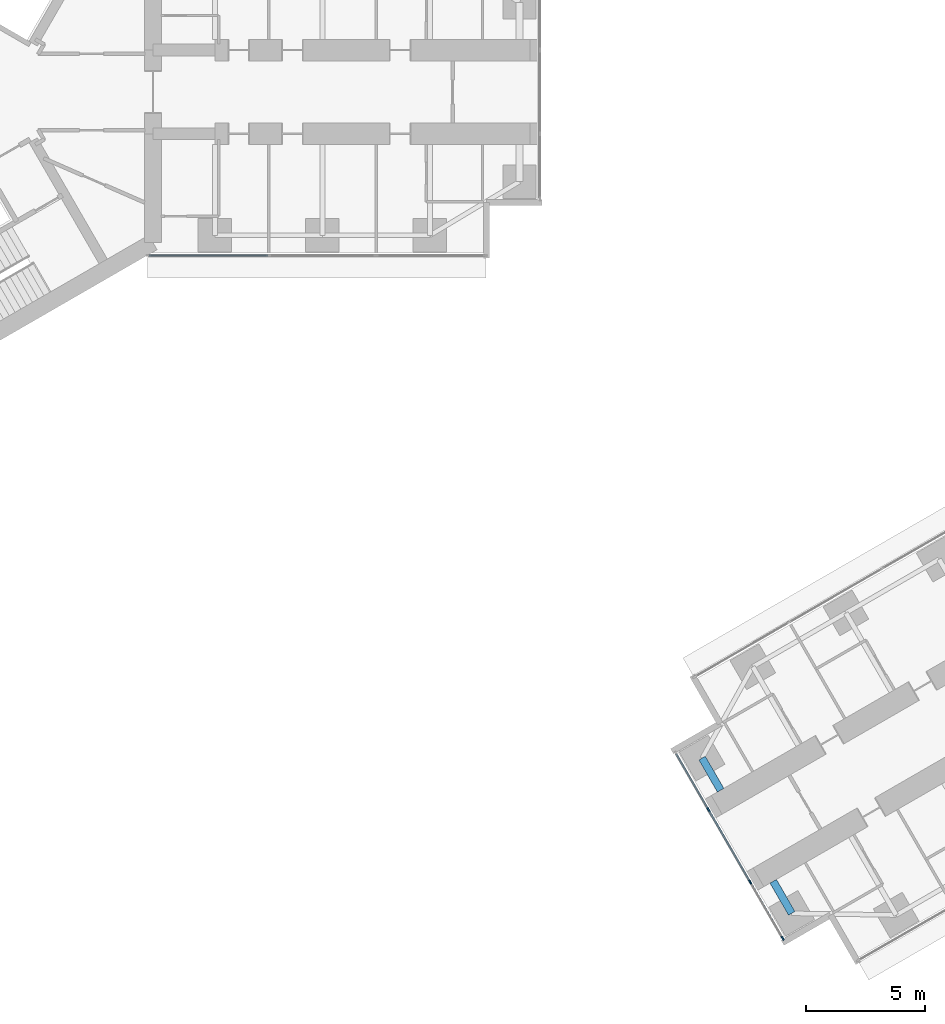
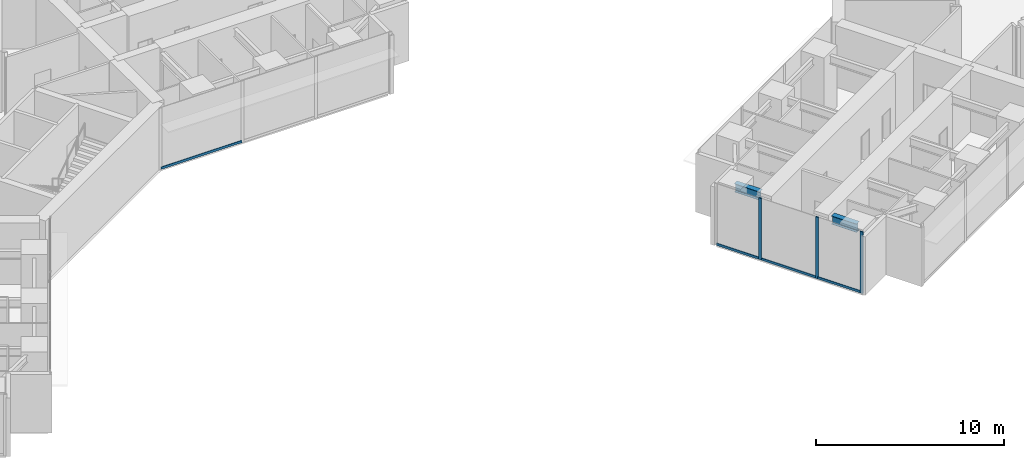
# One storey, part 3 of 25: 7 members, 2 beams, 2 elements without a shape of their own.
"""IFC4 building model written with IfcOpenShell, lengths in metres."""

from ifc_helpers import new_model, si_unit, direction, frame, origin, origin_2d, place, context, subcontext, project, spatial, rectangle, i_section, extrude, material, material_profile, profile_set, type_object, element, aggregate, save


model = new_model("IFC4")

# Units and contexts
model_context = context("Model", 3, precision=1e-05, world=origin(), true_north=direction((0.0, 1.0)))
body_context = subcontext(model_context, "Body", "Model", "MODEL_VIEW")
ifc_project = project(units=[si_unit("LENGTHUNIT", "METRE"), si_unit("AREAUNIT", "SQUARE_METRE"), si_unit("VOLUMEUNIT", "CUBIC_METRE"), si_unit("PLANEANGLEUNIT", "RADIAN"), si_unit("MASSUNIT", "GRAM", prefix="KILO")], contexts=[model_context])

# Site, building, storey
site_placement = place(None, origin())
site = spatial("IfcSite", under=ifc_project, at=site_placement, CompositionType="ELEMENT")
building_placement = place(site_placement, origin())
building = spatial("IfcBuilding", under=site, at=building_placement, Name="Upepo Twin Towers", CompositionType="ELEMENT")
storey_placement = place(building_placement, frame((0.0, 0.0, 80.5)))
storey = spatial("IfcBuildingStorey", under=building, at=storey_placement, Name="L19", CompositionType="ELEMENT", Elevation=80.5)

# Beams
ifc_material_1 = material(Name="Steel S355", Category="steel")
ifc_material_profile_1 = material_profile(ifc_material_1, i_section(OverallWidth=0.31201171875, OverallDepth=0.54345703125, WebThickness=0.0126953125, FlangeThickness=0.020263671875, FilletRadius=0.0126953125, at=origin_2d()), Name="UB 533x312x150")
ifc_profile_set_1 = profile_set([ifc_material_profile_1], Name="Steel S355")
beam_type = type_object("IfcBeamType", Name="Beam UB 533x312x150", PredefinedType="BEAM", material=ifc_profile_set_1)
for number, where, z_axis, x_axis, name in (
    (1, (37.641845703125, -34.37255859375, 3.5283203125), (-0.499967891604, 0.866043940782, 0.0), (-0.866043940782, -0.499967891604, 0.0), "T2 nose beam BL"),
    (2, (33.891845703125, -27.87744140625, 3.5283203125), (0.499967891604, -0.866043940782, 0.0), (0.866043940782, 0.499967891604, 0.0), "T2 nose beam BR"),
):
    element("IfcBeam", number, at=place(storey_placement, frame(where, z_axis=z_axis, x_axis=x_axis)), inside=storey, type_object=beam_type, Name=name, PredefinedType="BEAM", context=body_context, shape_type="SweptSolid", body=[
        extrude(i_section(OverallWidth=0.31201171875, OverallDepth=0.54345703125, WebThickness=0.0126953125, FlangeThickness=0.020263671875, FilletRadius=0.0126953125, at=origin_2d()), origin(), (0.0, 0.0, 1.0), 1.5498046875),
    ])

# Curtain wall, members
ifc_material_2 = material(Name="Aluminium and fritted glass", Category="aluminium")
curtain_wall_type = type_object("IfcCurtainWallType", Name="Tower curtain wall TW1, fritted glass", PredefinedType="NOTDEFINED", material=ifc_material_2)
curtain_wall_1_placement = place(storey_placement, origin())
curtain_wall_1 = element("IfcCurtainWall", 3, at=curtain_wall_1_placement, inside=storey, type_object=curtain_wall_type, Name="T2 L19 wing B nose curtain wall", PredefinedType="NOTDEFINED")
ifc_material_3 = material(Name="Aluminium mullion", Category="aluminium")
ifc_material_profile_2 = material_profile(ifc_material_3, rectangle(XDim=0.06494140625, YDim=0.179931640625, at=origin_2d()), Name="MULLION 65x180")
ifc_profile_set_2 = profile_set([ifc_material_profile_2], Name="Aluminium mullion")
member_type_1 = type_object("IfcMemberType", Name="Mullion 65x180 TW1", PredefinedType="MULLION", material=ifc_profile_set_2)
member_1_placement = place(storey_placement, frame((34.15576171875, -30.034423828125, 0.0), z_axis=(0.0, 0.0, 1.0), x_axis=(0.866025386174, 0.500000030502, 0.0)))
member_1 = element("IfcMember", 4, at=member_1_placement, type_object=member_type_1, Name="T2 L19 wing B nose curtain wall mullion 2", PredefinedType="MULLION", context=body_context, shape_type="SweptSolid", body=[
    extrude(rectangle(XDim=0.06494140625, YDim=0.179931640625, at=origin_2d()), origin(), (0.0, 0.0, 1.0), 4.0),
])
member_2_placement = place(storey_placement, frame((35.90576171875, -33.0654296875, 0.0), z_axis=(0.0, 0.0, 1.0), x_axis=(0.866025386174, 0.500000030502, 0.0)))
member_2 = element("IfcMember", 5, at=member_2_placement, type_object=member_type_1, Name="T2 L19 wing B nose curtain wall mullion 3", PredefinedType="MULLION", context=body_context, shape_type="SweptSolid", body=[
    extrude(rectangle(XDim=0.06494140625, YDim=0.179931640625, at=origin_2d()), origin(), (0.0, 0.0, 1.0), 4.0),
])
member_3_placement = place(storey_placement, frame((37.264404296875, -35.4189453125, 0.0), z_axis=(0.0, 0.0, 1.0), x_axis=(0.866025386174, 0.500000030502, 0.0)))
member_3 = element("IfcMember", 6, at=member_3_placement, type_object=member_type_1, Name="T2 L19 wing B nose curtain wall mullion 4", PredefinedType="MULLION", context=body_context, shape_type="SweptSolid", body=[
    extrude(rectangle(XDim=0.06494140625, YDim=0.179931640625, at=origin_2d()), origin(), (0.0, 0.0, 1.0), 4.0),
])

# Curtain wall, member
curtain_wall_2_placement = place(storey_placement, origin())
curtain_wall_2 = element("IfcCurtainWall", 7, at=curtain_wall_2_placement, inside=storey, type_object=curtain_wall_type, Name="T1 L19 wing A flank R curtain wall", PredefinedType="NOTDEFINED")
ifc_material_4 = material(Name="Aluminium transom", Category="aluminium")
ifc_material_profile_3 = material_profile(ifc_material_4, rectangle(XDim=0.06494140625, YDim=0.14990234375, at=origin_2d()), Name="TRANSOM 65x150")
ifc_profile_set_3 = profile_set([ifc_material_profile_3], Name="Aluminium transom")
member_type_2 = type_object("IfcMemberType", Name="Transom 65x150 TW1", PredefinedType="USERDEFINED", material=ifc_profile_set_3)
member_4_placement = place(storey_placement, frame((15.717529296875, -6.85009765625, 0.074951171875), z_axis=(-1.0, 0.0, 0.0), x_axis=(0.0, -1.0, 0.0)))
member_4 = element("IfcMember", 8, at=member_4_placement, type_object=member_type_2, Name="T1 L19 wing A flank R curtain wall transom 3", ObjectType="TRANSOM", PredefinedType="USERDEFINED", context=body_context, shape_type="SweptSolid", body=[
    extrude(rectangle(XDim=0.06494140625, YDim=0.14990234375, at=origin_2d()), origin(), (0.0, 0.0, 1.0), 4.96533203125),
])
aggregate(curtain_wall_2, [member_4])

# Member
member_5_placement = place(storey_placement, frame((32.813232421875, -27.709228515625, 0.074951171875), z_axis=(0.499980071345, -0.866036909293, 0.0), x_axis=(0.866036909293, 0.499980071345, 0.0)))
member_5 = element("IfcMember", 9, at=member_5_placement, type_object=member_type_2, Name="T2 L19 wing B nose curtain wall transom 1", ObjectType="TRANSOM", PredefinedType="USERDEFINED", context=body_context, shape_type="SweptSolid", body=[
    extrude(rectangle(XDim=0.06494140625, YDim=0.14990234375, at=origin_2d()), origin(), (0.0, 0.0, 1.0), 2.65234375),
])

member_6_placement = place(storey_placement, frame((34.171875, -30.0625, 0.074951171875), z_axis=(0.499999305434, -0.866025804792, 0.0), x_axis=(0.866025804792, 0.499999305434, 0.0)))
member_6 = element("IfcMember", 10, at=member_6_placement, type_object=member_type_2, Name="T2 L19 wing B nose curtain wall transom 2", ObjectType="TRANSOM", PredefinedType="USERDEFINED", context=body_context, shape_type="SweptSolid", body=[
    extrude(rectangle(XDim=0.06494140625, YDim=0.14990234375, at=origin_2d()), origin(), (0.0, 0.0, 1.0), 3.43505859375),
])

member_7_placement = place(storey_placement, frame((35.921875, -33.09375, 0.074951171875), z_axis=(0.500049101008, -0.865997053448, 0.0), x_axis=(0.865997053448, 0.500049101008, 0.0)))
member_7 = element("IfcMember", 11, at=member_7_placement, type_object=member_type_2, Name="T2 L19 wing B nose curtain wall transom 3", ObjectType="TRANSOM", PredefinedType="USERDEFINED", context=body_context, shape_type="SweptSolid", body=[
    extrude(rectangle(XDim=0.06494140625, YDim=0.14990234375, at=origin_2d()), origin(), (0.0, 0.0, 1.0), 2.652587890625),
])

aggregate(curtain_wall_1, [member_1, member_2, member_3, member_5, member_6, member_7])

save(model, "model.ifc")
